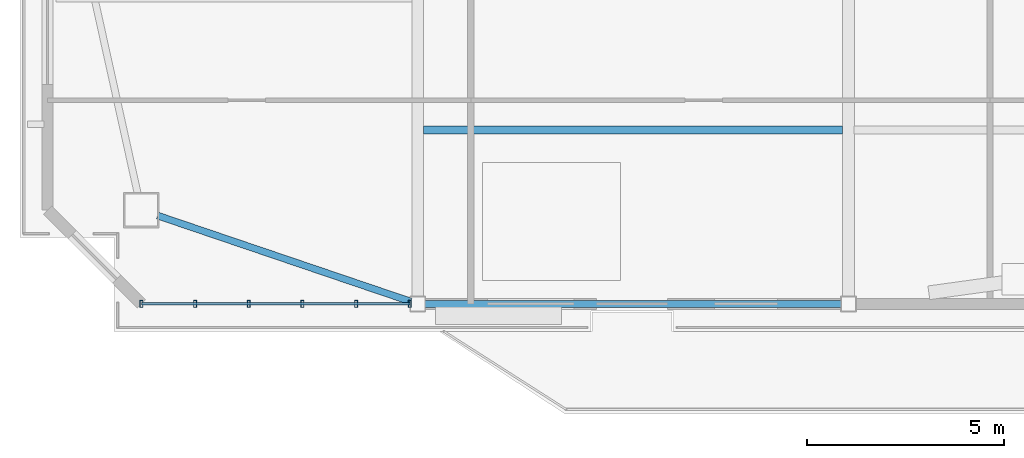
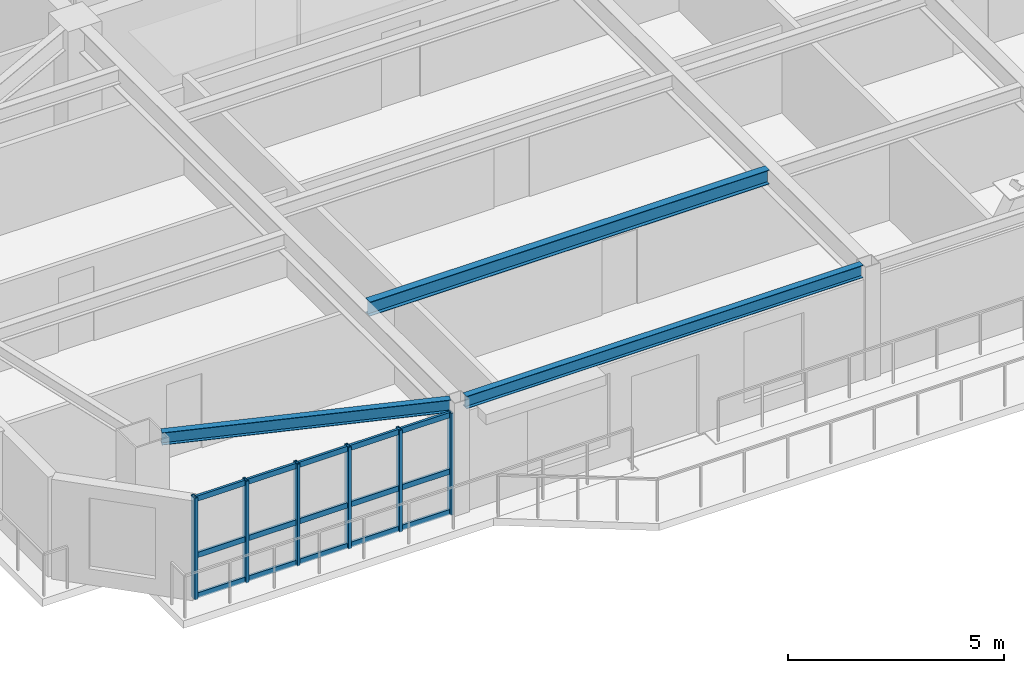
# One storey, part 2 of 13: 9 members, 3 beams, 1 element without a shape of its own.
"""IFC4 building model written with IfcOpenShell, lengths in metres."""

import ifcopenshell
import ifcopenshell.guid

model = None  # the IFC model being written
_history = None  # IfcOwnerHistory: only IFC2X3 demands one
_inside = {}  # id of a spatial element -> (the spatial element, [elements in it])
_under = {}  # id of a project, library or spatial element -> (it, [spatial elements below it])
_declared = {}  # id of a project -> (the project, [libraries it declares])
_typed = {}  # id of a type object -> (the type object, [elements of that type])
_made_of = {}  # id of a material, layer set ... -> (it, [elements and type objects made of it])


def new_model(schema):
    """Start an empty IFC model of exactly this schema.

    Asked for "IFC4X3", IfcOpenShell would pick the latest addendum, in which some entities
    have other attributes; the version numbers below select the first issue.
    IFC2X3 requires an IfcOwnerHistory on every rooted entity: one is made here for all.
    """
    global model, _history
    if schema == "IFC4X3":
        model = ifcopenshell.file(schema_version=(4, 3, 0, 0))
    else:
        model = ifcopenshell.file(schema=schema)
    _inside.clear()
    _under.clear()
    _declared.clear()
    _typed.clear()
    _made_of.clear()
    _history = None
    if model.schema == "IFC2X3":
        org = make("IfcOrganization", Name="unknown")
        user = make(
            "IfcPersonAndOrganization",
            ThePerson=make("IfcPerson", FamilyName="unknown"),
            TheOrganization=org,
        )
        app = make(
            "IfcApplication",
            ApplicationDeveloper=org,
            Version="unknown",
            ApplicationFullName="unknown",
            ApplicationIdentifier="unknown",
        )
        _history = make(
            "IfcOwnerHistory",
            OwningUser=user,
            OwningApplication=app,
            ChangeAction="ADDED",
            CreationDate=0,
        )
    return model


def make(cls, **values):
    """One entity of the class cls with the attributes given. An attribute that is None is left unset."""
    return model.create_entity(
        cls, **{name: value for name, value in values.items() if value is not None}
    )


def rooted(cls, **values):
    """An entity with a GlobalId (a new one), such as an element, a storey or a relation."""
    return make(cls, GlobalId=ifcopenshell.guid.new(), OwnerHistory=_history, **values)


def si_unit(unit_type, name, prefix=None):
    """IfcSIUnit, for example si_unit("LENGTHUNIT", "METRE", prefix="MILLI")."""
    return make("IfcSIUnit", UnitType=unit_type, Prefix=prefix, Name=name)


def assignment(units):
    """IfcUnitAssignment: the units of a project."""
    return None if units is None else make("IfcUnitAssignment", Units=units)


def point(xyz):
    """IfcCartesianPoint."""
    return None if xyz is None else make("IfcCartesianPoint", Coordinates=xyz)


def direction(xyz):
    """IfcDirection."""
    return None if xyz is None else make("IfcDirection", DirectionRatios=xyz)


def frame(location, z_axis=None, x_axis=None):
    """IfcAxis2Placement3D, a coordinate frame: its origin and axes. An axis left out is left unset."""
    return make(
        "IfcAxis2Placement3D",
        Location=point(location),
        Axis=direction(z_axis),
        RefDirection=direction(x_axis),
    )


def frame_2d(location, x_axis=None):
    """IfcAxis2Placement2D, a coordinate frame in the plane: its origin and x axis."""
    return make(
        "IfcAxis2Placement2D", Location=point(location), RefDirection=direction(x_axis)
    )


def origin():
    """The frame at (0, 0, 0) with its axes left unset."""
    return frame((0.0, 0.0, 0.0))


def origin_2d():
    """The frame at (0, 0) in the plane with its x axis left unset."""
    return frame_2d((0.0, 0.0))


def place(relative_to, where):
    """IfcLocalPlacement: puts the frame where relative to a parent placement (None: the world)."""
    return make(
        "IfcLocalPlacement", PlacementRelTo=relative_to, RelativePlacement=where
    )


def context(
    kind, dimensions, precision=None, world=None, true_north=None, identifier=None
):
    """IfcGeometricRepresentationContext, for example the 3D "Model" context."""
    return make(
        "IfcGeometricRepresentationContext",
        ContextIdentifier=identifier,
        ContextType=kind,
        CoordinateSpaceDimension=dimensions,
        Precision=precision,
        WorldCoordinateSystem=world,
        TrueNorth=true_north,
    )


def subcontext(parent, identifier, kind, view, scale=None):
    """IfcGeometricRepresentationSubContext, for example "Body" below "Model"."""
    return make(
        "IfcGeometricRepresentationSubContext",
        ContextIdentifier=identifier,
        ContextType=kind,
        ParentContext=parent,
        TargetScale=scale,
        TargetView=view,
    )


def project(units=None, contexts=None):
    """IfcProject with its units and contexts."""
    return rooted(
        "IfcProject",
        Name="project",
        RepresentationContexts=contexts,
        UnitsInContext=assignment(units),
    )


def spatial(cls, under=None, at=None, **own):
    """A site, building, storey or space (cls), placed at a placement, below another one or the project."""
    s = rooted(cls, ObjectPlacement=at, **own)
    if under is not None:
        _under.setdefault(under.id(), (under, []))[1].append(s)
    return s


def profile(cls, at=None, kind="AREA", **sizes):
    """A parametric profile (cls). Its sizes go by their IFC names, for example OverallWidth=200.0."""
    return make(cls, ProfileType=kind, Position=at, **sizes)


def hollow_rectangle(**sizes):
    """IfcRectangleHollowProfileDef."""
    return profile("IfcRectangleHollowProfileDef", **sizes)


def i_section(**sizes):
    """IfcIShapeProfileDef."""
    return profile("IfcIShapeProfileDef", **sizes)


def extrude(swept, where, along, depth):
    """IfcExtrudedAreaSolid: the profile swept, set in the frame where, extruded along a direction by depth."""
    return make(
        "IfcExtrudedAreaSolid",
        SweptArea=swept,
        Position=where,
        ExtrudedDirection=direction(along),
        Depth=depth,
    )


def shape(context_of_items, identifier, shape_type, items):
    """IfcShapeRepresentation: the items that make up one representation, for example the "Body"."""
    return make(
        "IfcShapeRepresentation",
        ContextOfItems=context_of_items,
        RepresentationIdentifier=identifier,
        RepresentationType=shape_type,
        Items=items,
    )


def source(mapping_origin, context_of_items, identifier, shape_type, items):
    """IfcRepresentationMap: a shape defined once, which mapped items show again and again."""
    return make(
        "IfcRepresentationMap",
        MappingOrigin=mapping_origin,
        MappedRepresentation=shape(context_of_items, identifier, shape_type, items),
    )


def transform(
    local_origin,
    x_axis=None,
    y_axis=None,
    z_axis=None,
    scale=None,
    scale2=None,
    scale3=None,
    uniform=True,
):
    """IfcCartesianTransformationOperator3D, or its non-uniform kind. x_axis, y_axis, z_axis: its Axis1, 2, 3."""
    if uniform:
        return make(
            "IfcCartesianTransformationOperator3D",
            Axis1=direction(x_axis),
            Axis2=direction(y_axis),
            LocalOrigin=point(local_origin),
            Scale=scale,
            Axis3=direction(z_axis),
        )
    return make(
        "IfcCartesianTransformationOperator3DnonUniform",
        Axis1=direction(x_axis),
        Axis2=direction(y_axis),
        LocalOrigin=point(local_origin),
        Scale=scale,
        Axis3=direction(z_axis),
        Scale2=scale2,
        Scale3=scale3,
    )


def mapped(mapping_source, mapping_target):
    """IfcMappedItem: shows the shape of a source again, moved by a transform."""
    return make(
        "IfcMappedItem", MappingSource=mapping_source, MappingTarget=mapping_target
    )


def material(Name=None, Category=None):
    """IfcMaterial."""
    return make("IfcMaterial", Name=Name, Category=Category)


def layer(
    of_material, thickness, ventilated=None, Name=None, Category=None, Priority=None
):
    """IfcMaterialLayer: one layer of a wall or slab, of a material (None: an air gap)."""
    return make(
        "IfcMaterialLayer",
        Material=of_material,
        LayerThickness=thickness,
        IsVentilated=ventilated,
        Name=Name,
        Category=Category,
        Priority=Priority,
    )


def layer_set(layers, Name=None):
    """IfcMaterialLayerSet."""
    return make("IfcMaterialLayerSet", MaterialLayers=layers, LayerSetName=Name)


def material_profile(
    of_material, cross_section, Name=None, Category=None, Priority=None
):
    """IfcMaterialProfile: a cross section and its material."""
    return make(
        "IfcMaterialProfile",
        Name=Name,
        Material=of_material,
        Profile=cross_section,
        Priority=Priority,
        Category=Category,
    )


def profile_set(profiles, Name=None, composite=None):
    """IfcMaterialProfileSet."""
    return make(
        "IfcMaterialProfileSet",
        Name=Name,
        MaterialProfiles=profiles,
        CompositeProfile=composite,
    )


def made_of(thing, what):
    """Note that an element or type object is made of a material, layer set ...; save() writes the relation."""
    if what is not None:
        _made_of.setdefault(what.id(), (what, []))[1].append(thing)
    return thing


def type_object(cls, material=None, **own):
    """A type object (cls), such as IfcWallType, which elements share."""
    return made_of(rooted(cls, **own), material)


def element(
    cls,
    number,
    at=None,
    inside=None,
    cuts=None,
    type_object=None,
    material=None,
    context=None,
    identifier="Body",
    shape_type=None,
    held_by="IfcProductDefinitionShape",
    body=None,
    shapes=None,
    **own,
):
    """One element of the class cls, such as IfcWall. Its Tag is "e" and its number.

    at: its placement. inside: the storey or other place that contains it. cuts: it is an
    opening in that element (IfcRelVoidsElement). A single representation is given by context,
    identifier, shape_type and body (its items); several are given by shapes. held_by: the class
    of the entity that holds the representations. save() writes the other relations.
    """
    e = rooted(cls, Tag="e%d" % number, ObjectPlacement=at, **own)
    if body is not None:
        shapes = [shape(context, identifier, shape_type, body)]
    if shapes is not None:
        e.Representation = make(held_by, Representations=shapes)
    if inside is not None:
        _inside.setdefault(inside.id(), (inside, []))[1].append(e)
    if cuts is not None:
        rooted(
            "IfcRelVoidsElement", RelatingBuildingElement=cuts, RelatedOpeningElement=e
        )
    if type_object is not None:
        _typed.setdefault(type_object.id(), (type_object, []))[1].append(e)
    return made_of(e, material)


def aggregate(whole, parts):
    """IfcRelAggregates: a whole, such as a stair, and the parts it consists of."""
    return rooted("IfcRelAggregates", RelatingObject=whole, RelatedObjects=parts)


def save(model, path):
    """Write the relations noted so far, then the file.

    IfcRelAggregates (storeys below a building ...), IfcRelContainedInSpatialStructure (elements
    in a storey), IfcRelDefinesByType, IfcRelAssociatesMaterial and IfcRelDeclares: one each for
    every whole, place, type object, material and project.
    """
    for whole, parts in _under.values():
        aggregate(whole, parts)
    for where, things in _inside.values():
        rooted(
            "IfcRelContainedInSpatialStructure",
            RelatedElements=things,
            RelatingStructure=where,
        )
    for kind, things in _typed.values():
        rooted("IfcRelDefinesByType", RelatedObjects=things, RelatingType=kind)
    for what, things in _made_of.values():
        rooted("IfcRelAssociatesMaterial", RelatedObjects=things, RelatingMaterial=what)
    for by, libraries in _declared.values():
        rooted("IfcRelDeclares", RelatingContext=by, RelatedDefinitions=libraries)
    model.write(path)


model = new_model("IFC4")

# Units and contexts
model_context = context("Model", 3, precision=1e-05, world=origin(), true_north=direction((0.0, 1.0)))
body_context = subcontext(model_context, "Body", "Model", "MODEL_VIEW")
ifc_project = project(units=[si_unit("LENGTHUNIT", "METRE"), si_unit("AREAUNIT", "SQUARE_METRE"), si_unit("VOLUMEUNIT", "CUBIC_METRE"), si_unit("PLANEANGLEUNIT", "RADIAN"), si_unit("MASSUNIT", "GRAM", prefix="KILO")], contexts=[model_context])

# Site, building, storey
site_placement = place(None, origin())
site = spatial("IfcSite", under=ifc_project, at=site_placement, CompositionType="ELEMENT")
building_placement = place(site_placement, origin())
building = spatial("IfcBuilding", under=site, at=building_placement, Name="Giltprow Tower", CompositionType="ELEMENT")
storey_placement = place(building_placement, frame((0.0, 0.0, 307.39990234375)))
storey = spatial("IfcBuildingStorey", under=building, at=storey_placement, Name="L79", CompositionType="ELEMENT", Elevation=307.39990234375)

# Beams
ifc_material_1 = material(Name="Structural steel Q355B", Category="steel")
ifc_material_profile_1 = material_profile(ifc_material_1, i_section(OverallWidth=0.199951171875, OverallDepth=0.39990234375, WebThickness=0.008056640625, FlangeThickness=0.012939453125, at=origin_2d()), Name="HN 400x200x8x13")
ifc_profile_set_1 = profile_set([ifc_material_profile_1], Name="Structural steel Q355B")
beam_type_1 = type_object("IfcBeamType", Name="BM-JOIST-HN400", PredefinedType="JOIST", material=ifc_profile_set_1)
shared_shape_1 = source(origin(), body_context, "Body", "SweptSolid", [
    extrude(i_section(OverallWidth=0.199951171875, OverallDepth=0.39990234375, WebThickness=0.008056640625, FlangeThickness=0.012939453125, at=origin_2d()), origin(), (0.0, 0.0, 1.0), 10.659912109375),
])
beam_1_placement = place(storey_placement, frame((19.9951171875, 24.19091796875, 2.985107421875), z_axis=(1.0, 0.0, 0.0), x_axis=(0.0, 1.0, 0.0)))
element("IfcBeam", 1, at=beam_1_placement, inside=storey, type_object=beam_type_1, Name="L79 Composite Floor Joist 1-1", PredefinedType="JOIST", context=body_context, shape_type="MappedRepresentation", body=[
    mapped(shared_shape_1, transform((0.0, 0.0, 0.0), x_axis=(1.0, 0.0, 0.0), y_axis=(0.0, 1.0, 0.0), z_axis=(0.0, 0.0, 1.0), scale=1.0)),
])
ifc_material_profile_2 = material_profile(ifc_material_1, i_section(OverallWidth=0.175048828125, OverallDepth=0.35009765625, WebThickness=0.007080078125, FlangeThickness=0.010986328125, at=origin_2d()), Name="HN 350x175x7x11")
ifc_profile_set_2 = profile_set([ifc_material_profile_2], Name="Structural steel Q355B")
beam_type_2 = type_object("IfcBeamType", Name="BM-SPAN-HN350", PredefinedType="SPANDREL", material=ifc_profile_set_2)
shared_shape_2 = source(origin(), body_context, "Body", "SweptSolid", [
    extrude(i_section(OverallWidth=0.175048828125, OverallDepth=0.35009765625, WebThickness=0.007080078125, FlangeThickness=0.010986328125, at=origin_2d()), origin(), (0.0, 0.0, 1.0), 6.799072265625),
])
beam_2_placement = place(storey_placement, frame((13.237060546875, 22.01708984375, 3.010009765625), z_axis=(0.946901804607, -0.321522895656, 0.0), x_axis=(0.321522895656, 0.946901804607, 0.0)))
element("IfcBeam", 2, at=beam_2_placement, inside=storey, type_object=beam_type_2, Name="L79 Perimeter Spandrel Beam MC_SW-S1", PredefinedType="SPANDREL", context=body_context, shape_type="MappedRepresentation", body=[
    mapped(shared_shape_2, transform((0.0, 0.0, 0.0), x_axis=(1.0, 0.0, 0.0), y_axis=(0.0, 1.0, 0.0), z_axis=(0.0, 0.0, 1.0), scale=1.0)),
])
shared_shape_3 = source(origin(), body_context, "Body", "SweptSolid", [
    extrude(i_section(OverallWidth=0.175048828125, OverallDepth=0.35009765625, WebThickness=0.007080078125, FlangeThickness=0.010986328125, at=origin_2d()), origin(), (0.0, 0.0, 1.0), 10.580078125),
])
beam_3_placement = place(storey_placement, frame((20.034912109375, 19.77197265625, 3.010009765625), z_axis=(1.0, 0.0, 0.0), x_axis=(0.0, 1.0, 0.0)))
element("IfcBeam", 3, at=beam_3_placement, inside=storey, type_object=beam_type_2, Name="L79 Perimeter Spandrel Beam S1-S2", PredefinedType="SPANDREL", context=body_context, shape_type="MappedRepresentation", body=[
    mapped(shared_shape_3, transform((0.0, 0.0, 0.0), x_axis=(1.0, 0.0, 0.0), y_axis=(0.0, 1.0, 0.0), z_axis=(0.0, 0.0, 1.0), scale=1.0)),
])

# Curtain wall, members
ifc_material_2 = material(Name="Anodized bronze", Category="metal")
ifc_layer = layer(ifc_material_2, 0.179931640625, Name="Anodized bronze")
ifc_layer_set = layer_set([ifc_layer], Name="Anodized bronze")
curtain_wall_type = type_object("IfcCurtainWallType", Name="CW-RES-SKY", PredefinedType="NOTDEFINED", material=ifc_layer_set)
curtain_wall_placement = place(storey_placement, origin())
curtain_wall = element("IfcCurtainWall", 4, at=curtain_wall_placement, inside=storey, type_object=curtain_wall_type, Name="L79 South Recessed Curtain Wall 1", PredefinedType="NOTDEFINED")
ifc_material_profile_3 = material_profile(ifc_material_2, hollow_rectangle(XDim=0.074951171875, YDim=0.179931640625, WallThickness=0.008056640625, at=origin_2d()), Name="RHS 180x75x8")
ifc_profile_set_3 = profile_set([ifc_material_profile_3], Name="Anodized bronze")
member_type_1 = type_object("IfcMemberType", Name="CW-MULLION-180x75", PredefinedType="MULLION", material=ifc_profile_set_3)
shared_shape_4 = source(origin(), body_context, "Body", "SweptSolid", [
    extrude(hollow_rectangle(XDim=0.074951171875, YDim=0.179931640625, WallThickness=0.008056640625, at=origin_2d()), origin(), (0.0, 0.0, 1.0), 2.8701171875),
])
member_1_placement = place(storey_placement, frame((12.824951171875, 19.77197265625, -0.02001953125), z_axis=(0.0, 0.0, 1.0), x_axis=(1.0, 0.0, 0.0)))
member_1 = element("IfcMember", 5, at=member_1_placement, type_object=member_type_1, Name="L79 South Recessed Curtain Wall 1 Mullion 1", PredefinedType="MULLION", context=body_context, shape_type="MappedRepresentation", body=[
    mapped(shared_shape_4, transform((0.0, 0.0, 0.0), x_axis=(1.0, 0.0, 0.0), y_axis=(0.0, 1.0, 0.0), z_axis=(0.0, 0.0, 1.0), scale=1.0)),
])
member_2_placement = place(storey_placement, frame((14.18994140625, 19.77197265625, -0.02001953125), z_axis=(0.0, 0.0, 1.0), x_axis=(1.0, 0.0, 0.0)))
member_2 = element("IfcMember", 6, at=member_2_placement, type_object=member_type_1, Name="L79 South Recessed Curtain Wall 1 Mullion 2", PredefinedType="MULLION", context=body_context, shape_type="MappedRepresentation", body=[
    mapped(shared_shape_4, transform((0.0, 0.0, 0.0), x_axis=(1.0, 0.0, 0.0), y_axis=(0.0, 1.0, 0.0), z_axis=(0.0, 0.0, 1.0), scale=1.0)),
])
member_3_placement = place(storey_placement, frame((15.554931640625, 19.77197265625, -0.02001953125), z_axis=(0.0, 0.0, 1.0), x_axis=(1.0, 0.0, 0.0)))
member_3 = element("IfcMember", 7, at=member_3_placement, type_object=member_type_1, Name="L79 South Recessed Curtain Wall 1 Mullion 3", PredefinedType="MULLION", context=body_context, shape_type="MappedRepresentation", body=[
    mapped(shared_shape_4, transform((0.0, 0.0, 0.0), x_axis=(1.0, 0.0, 0.0), y_axis=(0.0, 1.0, 0.0), z_axis=(0.0, 0.0, 1.0), scale=1.0)),
])
member_4_placement = place(storey_placement, frame((16.919921875, 19.77197265625, -0.02001953125), z_axis=(0.0, 0.0, 1.0), x_axis=(1.0, 0.0, 0.0)))
member_4 = element("IfcMember", 8, at=member_4_placement, type_object=member_type_1, Name="L79 South Recessed Curtain Wall 1 Mullion 4", PredefinedType="MULLION", context=body_context, shape_type="MappedRepresentation", body=[
    mapped(shared_shape_4, transform((0.0, 0.0, 0.0), x_axis=(1.0, 0.0, 0.0), y_axis=(0.0, 1.0, 0.0), z_axis=(0.0, 0.0, 1.0), scale=1.0)),
])
member_5_placement = place(storey_placement, frame((18.284912109375, 19.77197265625, -0.02001953125), z_axis=(0.0, 0.0, 1.0), x_axis=(1.0, 0.0, 0.0)))
member_5 = element("IfcMember", 9, at=member_5_placement, type_object=member_type_1, Name="L79 South Recessed Curtain Wall 1 Mullion 5", PredefinedType="MULLION", context=body_context, shape_type="MappedRepresentation", body=[
    mapped(shared_shape_4, transform((0.0, 0.0, 0.0), x_axis=(1.0, 0.0, 0.0), y_axis=(0.0, 1.0, 0.0), z_axis=(0.0, 0.0, 1.0), scale=1.0)),
])
member_6_placement = place(storey_placement, frame((19.64990234375, 19.77197265625, -0.02001953125), z_axis=(0.0, 0.0, 1.0), x_axis=(1.0, 0.0, 0.0)))
member_6 = element("IfcMember", 10, at=member_6_placement, type_object=member_type_1, Name="L79 South Recessed Curtain Wall 1 Mullion 6", PredefinedType="MULLION", context=body_context, shape_type="MappedRepresentation", body=[
    mapped(shared_shape_4, transform((0.0, 0.0, 0.0), x_axis=(1.0, 0.0, 0.0), y_axis=(0.0, 1.0, 0.0), z_axis=(0.0, 0.0, 1.0), scale=1.0)),
])
ifc_material_profile_4 = material_profile(ifc_material_2, hollow_rectangle(XDim=0.06494140625, YDim=0.14990234375, WallThickness=0.006103515625, at=origin_2d()), Name="RHS 150x65x6")
ifc_profile_set_4 = profile_set([ifc_material_profile_4], Name="Anodized bronze")
member_type_2 = type_object("IfcMemberType", Name="CW-TRANSOM-150x65", PredefinedType="USERDEFINED", material=ifc_profile_set_4)
shared_shape_5 = source(origin(), body_context, "Body", "SweptSolid", [
    extrude(hollow_rectangle(XDim=0.06494140625, YDim=0.14990234375, WallThickness=0.006103515625, at=origin_2d()), origin(), (0.0, 0.0, 1.0), 6.824951171875),
])
member_7_placement = place(storey_placement, frame((12.824951171875, 19.77197265625, 0.0400390625), z_axis=(1.0, 0.0, 0.0), x_axis=(0.0, 1.0, 0.0)))
member_7 = element("IfcMember", 11, at=member_7_placement, type_object=member_type_2, Name="L79 South Recessed Curtain Wall 1 Transom 1", ObjectType="TRANSOM", PredefinedType="USERDEFINED", context=body_context, shape_type="MappedRepresentation", body=[
    mapped(shared_shape_5, transform((0.0, 0.0, 0.0), x_axis=(1.0, 0.0, 0.0), y_axis=(0.0, 1.0, 0.0), z_axis=(0.0, 0.0, 1.0), scale=1.0)),
])
member_8_placement = place(storey_placement, frame((12.824951171875, 19.77197265625, 1.18212890625), z_axis=(1.0, 0.0, 0.0), x_axis=(0.0, 1.0, 0.0)))
member_8 = element("IfcMember", 12, at=member_8_placement, type_object=member_type_2, Name="L79 South Recessed Curtain Wall 1 Transom 2", ObjectType="TRANSOM", PredefinedType="USERDEFINED", context=body_context, shape_type="MappedRepresentation", body=[
    mapped(shared_shape_5, transform((0.0, 0.0, 0.0), x_axis=(1.0, 0.0, 0.0), y_axis=(0.0, 1.0, 0.0), z_axis=(0.0, 0.0, 1.0), scale=1.0)),
])
member_9_placement = place(storey_placement, frame((12.824951171875, 19.77197265625, 2.775146484375), z_axis=(1.0, 0.0, 0.0), x_axis=(0.0, 1.0, 0.0)))
member_9 = element("IfcMember", 13, at=member_9_placement, type_object=member_type_2, Name="L79 South Recessed Curtain Wall 1 Transom 3", ObjectType="TRANSOM", PredefinedType="USERDEFINED", context=body_context, shape_type="MappedRepresentation", body=[
    mapped(shared_shape_5, transform((0.0, 0.0, 0.0), x_axis=(1.0, 0.0, 0.0), y_axis=(0.0, 1.0, 0.0), z_axis=(0.0, 0.0, 1.0), scale=1.0)),
])
aggregate(curtain_wall, [member_1, member_2, member_3, member_4, member_5, member_6, member_7, member_8, member_9])

save(model, "model.ifc")
